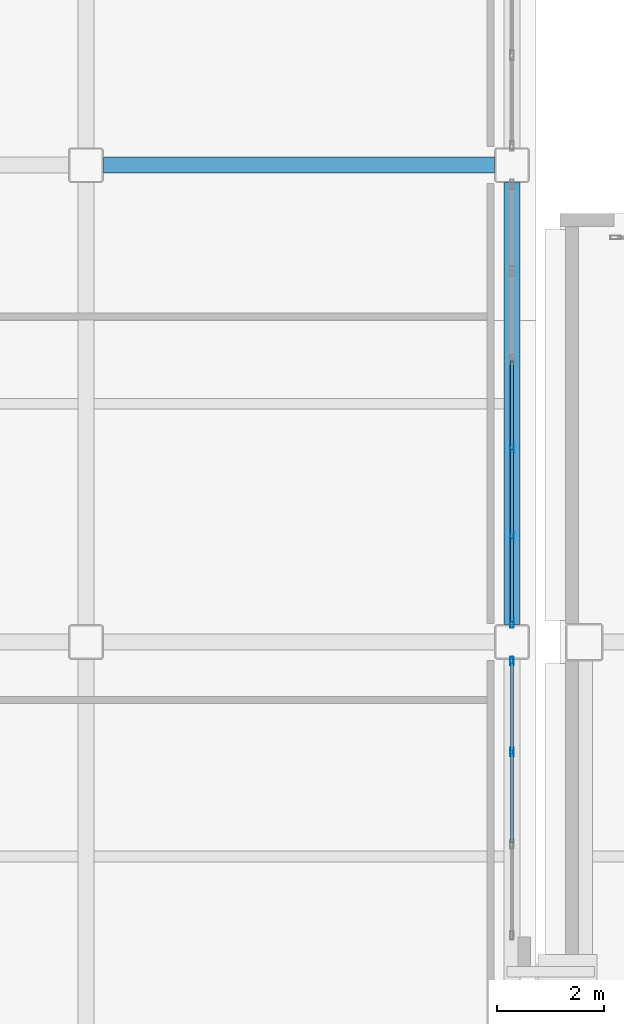
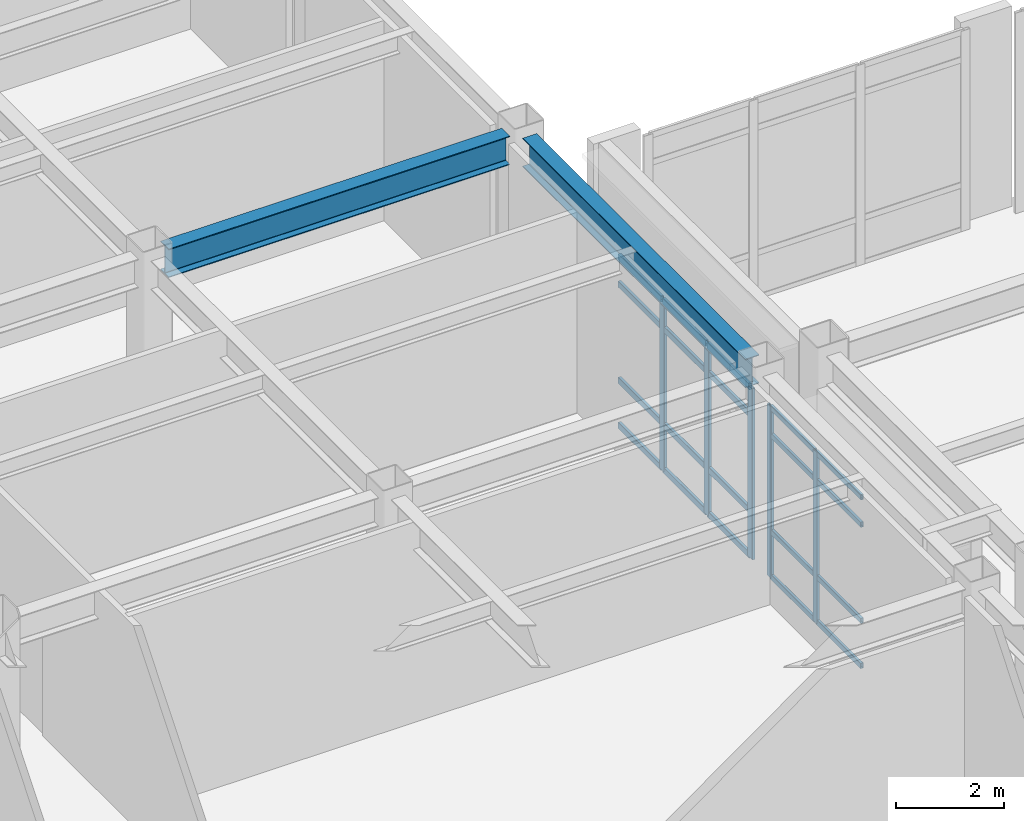
# One storey, part 56 of 172: 25 members, 2 beams, 2 elements without a shape of their own.
"""IFC4 building model written with IfcOpenShell, lengths in metres."""

from ifc_helpers import new_model, si_unit, direction, frame, origin, origin_2d, place, context, subcontext, project, spatial, hollow_rectangle, i_section, extrude, material, layer, layer_set, material_profile, profile_set, type_object, element, aggregate, save


model = new_model("IFC4")

# Units and contexts
model_context = context("Model", 3, precision=1e-05, world=origin(), true_north=direction((0.0, 1.0)))
body_context = subcontext(model_context, "Body", "Model", "MODEL_VIEW")
ifc_project = project(units=[si_unit("LENGTHUNIT", "METRE"), si_unit("AREAUNIT", "SQUARE_METRE"), si_unit("VOLUMEUNIT", "CUBIC_METRE"), si_unit("PLANEANGLEUNIT", "RADIAN"), si_unit("MASSUNIT", "GRAM", prefix="KILO")], contexts=[model_context])

# Site, building, storey
site_placement = place(None, origin())
site = spatial("IfcSite", under=ifc_project, at=site_placement, CompositionType="ELEMENT")
building_placement = place(site_placement, origin())
building = spatial("IfcBuilding", under=site, at=building_placement, Name="Kazehara Bluff Congress Hotel", CompositionType="ELEMENT")
storey_placement = place(building_placement, frame((0.0, 0.0, 5.39990234375)))
storey = spatial("IfcBuildingStorey", under=building, at=storey_placement, Name="L01", CompositionType="ELEMENT", Elevation=5.39990234375)

# Curtain wall, members
ifc_material_1 = material(Name="Anodised aluminium", Category="aluminium")
ifc_layer_1 = layer(ifc_material_1, 0.159912109375)
ifc_layer_set_1 = layer_set([ifc_layer_1], Name="Anodised aluminium")
curtain_wall_type_1 = type_object("IfcCurtainWallType", Name="TP-CW-53", PredefinedType="NOTDEFINED", material=ifc_layer_set_1)
curtain_wall_1_placement = place(storey_placement, origin())
curtain_wall_1 = element("IfcCurtainWall", 1, at=curtain_wall_1_placement, inside=storey, type_object=curtain_wall_type_1, Name="L01 curtain wall CW-53 CW-V4-L01-X10920-2650", PredefinedType="NOTDEFINED")
ifc_material_2 = material(Name="Anodised aluminium", Category="aluminium")
ifc_material_profile_1 = material_profile(ifc_material_2, hollow_rectangle(XDim=0.06005859375, YDim=0.159912109375, WallThickness=0.00390625, InnerFilletRadius=0.00390625, OuterFilletRadius=0.008056640625, at=origin_2d()))
ifc_profile_set_1 = profile_set([ifc_material_profile_1], Name="Anodised aluminium")
member_type_1 = type_object("IfcMemberType", Name="TP-CWM-01", PredefinedType="MULLION", material=ifc_profile_set_1)
member_1_placement = place(storey_placement, frame((109.199951171875, 29.949951171875, 0.0), z_axis=(0.0, 0.0, 1.0), x_axis=(-1.0, 0.0, 0.0)))
member_1 = element("IfcMember", 2, at=member_1_placement, type_object=member_type_1, Name="CW-53 mullion 3", PredefinedType="MULLION", context=body_context, shape_type="SweptSolid", body=[
    extrude(hollow_rectangle(XDim=0.06005859375, YDim=0.159912109375, WallThickness=0.00390625, InnerFilletRadius=0.00390625, OuterFilletRadius=0.008056640625, at=origin_2d()), origin(), (0.0, 0.0, 1.0), 3.875),
])
member_2_placement = place(storey_placement, frame((109.199951171875, 31.64501953125, 0.0), z_axis=(0.0, 0.0, 1.0), x_axis=(-1.0, 0.0, 0.0)))
member_2 = element("IfcMember", 3, at=member_2_placement, type_object=member_type_1, Name="CW-53 mullion 4", PredefinedType="MULLION", context=body_context, shape_type="SweptSolid", body=[
    extrude(hollow_rectangle(XDim=0.06005859375, YDim=0.159912109375, WallThickness=0.00390625, InnerFilletRadius=0.00390625, OuterFilletRadius=0.008056640625, at=origin_2d()), origin(), (0.0, 0.0, 1.0), 3.875),
])

ifc_material_3 = material(Name="Anodised aluminium", Category="aluminium")
ifc_layer_2 = layer(ifc_material_3, 0.159912109375)
ifc_layer_set_2 = layer_set([ifc_layer_2], Name="Anodised aluminium")
curtain_wall_type_2 = type_object("IfcCurtainWallType", Name="TP-CW-54", PredefinedType="NOTDEFINED", material=ifc_layer_set_2)
curtain_wall_2_placement = place(storey_placement, origin())
curtain_wall_2 = element("IfcCurtainWall", 4, at=curtain_wall_2_placement, inside=storey, type_object=curtain_wall_type_2, Name="L01 curtain wall CW-54 CW-V4-L01-X10920-3233", PredefinedType="NOTDEFINED")
ifc_material_4 = material(Name="Anodised aluminium", Category="aluminium")
ifc_material_profile_2 = material_profile(ifc_material_4, hollow_rectangle(XDim=0.06494140625, YDim=0.179931640625, WallThickness=0.00390625, InnerFilletRadius=0.00390625, OuterFilletRadius=0.008056640625, at=origin_2d()))
ifc_profile_set_2 = profile_set([ifc_material_profile_2], Name="Anodised aluminium")
member_type_2 = type_object("IfcMemberType", Name="TP-CWM-02", PredefinedType="MULLION", material=ifc_profile_set_2)
member_3_placement = place(storey_placement, frame((109.199951171875, 32.357421875, 0.0), z_axis=(0.0, 0.0, 1.0), x_axis=(-1.0, 0.0, 0.0)))
member_3 = element("IfcMember", 5, at=member_3_placement, type_object=member_type_2, Name="CW-54 mullion 1", PredefinedType="MULLION", context=body_context, shape_type="SweptSolid", body=[
    extrude(hollow_rectangle(XDim=0.06494140625, YDim=0.179931640625, WallThickness=0.00390625, InnerFilletRadius=0.00390625, OuterFilletRadius=0.008056640625, at=origin_2d()), origin(), (0.0, 0.0, 1.0), 3.875),
])
member_4_placement = place(storey_placement, frame((109.199951171875, 33.97509765625, 0.0), z_axis=(0.0, 0.0, 1.0), x_axis=(-1.0, 0.0, 0.0)))
member_4 = element("IfcMember", 6, at=member_4_placement, type_object=member_type_2, Name="CW-54 mullion 2", PredefinedType="MULLION", context=body_context, shape_type="SweptSolid", body=[
    extrude(hollow_rectangle(XDim=0.06494140625, YDim=0.179931640625, WallThickness=0.00390625, InnerFilletRadius=0.00390625, OuterFilletRadius=0.008056640625, at=origin_2d()), origin(), (0.0, 0.0, 1.0), 3.875),
])
member_5_placement = place(storey_placement, frame((109.199951171875, 35.625, 0.0), z_axis=(0.0, 0.0, 1.0), x_axis=(-1.0, 0.0, 0.0)))
member_5 = element("IfcMember", 7, at=member_5_placement, type_object=member_type_2, Name="CW-54 mullion 3", PredefinedType="MULLION", context=body_context, shape_type="SweptSolid", body=[
    extrude(hollow_rectangle(XDim=0.06494140625, YDim=0.179931640625, WallThickness=0.00390625, InnerFilletRadius=0.00390625, OuterFilletRadius=0.008056640625, at=origin_2d()), origin(), (0.0, 0.0, 1.0), 3.875),
])

# Member
ifc_material_5 = material(Name="Anodised aluminium", Category="aluminium")
ifc_material_profile_3 = material_profile(ifc_material_5, hollow_rectangle(XDim=0.06005859375, YDim=0.1201171875, WallThickness=0.00390625, InnerFilletRadius=0.00390625, OuterFilletRadius=0.008056640625, at=origin_2d()))
ifc_profile_set_3 = profile_set([ifc_material_profile_3], Name="Anodised aluminium")
member_type_3 = type_object("IfcMemberType", Name="TP-CWT-01", PredefinedType="USERDEFINED", material=ifc_profile_set_3)
member_6_placement = place(storey_placement, frame((109.199951171875, 28.2548828125, 0.030029296875), z_axis=(0.0, 1.0, 0.0), x_axis=(-1.0, 0.0, 0.0)))
member_6 = element("IfcMember", 8, at=member_6_placement, type_object=member_type_3, Name="CW-53 transom 2.1", ObjectType="TRANSOM", PredefinedType="USERDEFINED", context=body_context, shape_type="SweptSolid", body=[
    extrude(hollow_rectangle(XDim=0.06005859375, YDim=0.1201171875, WallThickness=0.00390625, InnerFilletRadius=0.00390625, OuterFilletRadius=0.008056640625, at=origin_2d()), origin(), (0.0, 0.0, 1.0), 1.6650390625),
])

member_7_placement = place(storey_placement, frame((109.199951171875, 28.2548828125, 1.050048828125), z_axis=(0.0, 1.0, 0.0), x_axis=(-1.0, 0.0, 0.0)))
member_7 = element("IfcMember", 9, at=member_7_placement, type_object=member_type_3, Name="CW-53 transom 2.2", ObjectType="TRANSOM", PredefinedType="USERDEFINED", context=body_context, shape_type="SweptSolid", body=[
    extrude(hollow_rectangle(XDim=0.06005859375, YDim=0.1201171875, WallThickness=0.00390625, InnerFilletRadius=0.00390625, OuterFilletRadius=0.008056640625, at=origin_2d()), origin(), (0.0, 0.0, 1.0), 1.6650390625),
])

member_8_placement = place(storey_placement, frame((109.199951171875, 28.2548828125, 3.22509765625), z_axis=(0.0, 1.0, 0.0), x_axis=(-1.0, 0.0, 0.0)))
member_8 = element("IfcMember", 10, at=member_8_placement, type_object=member_type_3, Name="CW-53 transom 2.3", ObjectType="TRANSOM", PredefinedType="USERDEFINED", context=body_context, shape_type="SweptSolid", body=[
    extrude(hollow_rectangle(XDim=0.06005859375, YDim=0.1201171875, WallThickness=0.00390625, InnerFilletRadius=0.00390625, OuterFilletRadius=0.008056640625, at=origin_2d()), origin(), (0.0, 0.0, 1.0), 1.6650390625),
])

member_9_placement = place(storey_placement, frame((109.199951171875, 28.2548828125, 3.84521484375), z_axis=(0.0, 1.0, 0.0), x_axis=(-1.0, 0.0, 0.0)))
member_9 = element("IfcMember", 11, at=member_9_placement, type_object=member_type_3, Name="CW-53 transom 2.4", ObjectType="TRANSOM", PredefinedType="USERDEFINED", context=body_context, shape_type="SweptSolid", body=[
    extrude(hollow_rectangle(XDim=0.06005859375, YDim=0.1201171875, WallThickness=0.00390625, InnerFilletRadius=0.00390625, OuterFilletRadius=0.008056640625, at=origin_2d()), origin(), (0.0, 0.0, 1.0), 1.6650390625),
])

member_10_placement = place(storey_placement, frame((109.199951171875, 29.97998046875, 0.030029296875), z_axis=(0.0, 1.0, 0.0), x_axis=(-1.0, 0.0, 0.0)))
member_10 = element("IfcMember", 12, at=member_10_placement, type_object=member_type_3, Name="CW-53 transom 3.1", ObjectType="TRANSOM", PredefinedType="USERDEFINED", context=body_context, shape_type="SweptSolid", body=[
    extrude(hollow_rectangle(XDim=0.06005859375, YDim=0.1201171875, WallThickness=0.00390625, InnerFilletRadius=0.00390625, OuterFilletRadius=0.008056640625, at=origin_2d()), origin(), (0.0, 0.0, 1.0), 1.635009765625),
])

member_11_placement = place(storey_placement, frame((109.199951171875, 29.97998046875, 1.050048828125), z_axis=(0.0, 1.0, 0.0), x_axis=(-1.0, 0.0, 0.0)))
member_11 = element("IfcMember", 13, at=member_11_placement, type_object=member_type_3, Name="CW-53 transom 3.2", ObjectType="TRANSOM", PredefinedType="USERDEFINED", context=body_context, shape_type="SweptSolid", body=[
    extrude(hollow_rectangle(XDim=0.06005859375, YDim=0.1201171875, WallThickness=0.00390625, InnerFilletRadius=0.00390625, OuterFilletRadius=0.008056640625, at=origin_2d()), origin(), (0.0, 0.0, 1.0), 1.635009765625),
])

member_12_placement = place(storey_placement, frame((109.199951171875, 29.97998046875, 3.22509765625), z_axis=(0.0, 1.0, 0.0), x_axis=(-1.0, 0.0, 0.0)))
member_12 = element("IfcMember", 14, at=member_12_placement, type_object=member_type_3, Name="CW-53 transom 3.3", ObjectType="TRANSOM", PredefinedType="USERDEFINED", context=body_context, shape_type="SweptSolid", body=[
    extrude(hollow_rectangle(XDim=0.06005859375, YDim=0.1201171875, WallThickness=0.00390625, InnerFilletRadius=0.00390625, OuterFilletRadius=0.008056640625, at=origin_2d()), origin(), (0.0, 0.0, 1.0), 1.635009765625),
])

member_13_placement = place(storey_placement, frame((109.199951171875, 29.97998046875, 3.84521484375), z_axis=(0.0, 1.0, 0.0), x_axis=(-1.0, 0.0, 0.0)))
member_13 = element("IfcMember", 15, at=member_13_placement, type_object=member_type_3, Name="CW-53 transom 3.4", ObjectType="TRANSOM", PredefinedType="USERDEFINED", context=body_context, shape_type="SweptSolid", body=[
    extrude(hollow_rectangle(XDim=0.06005859375, YDim=0.1201171875, WallThickness=0.00390625, InnerFilletRadius=0.00390625, OuterFilletRadius=0.008056640625, at=origin_2d()), origin(), (0.0, 0.0, 1.0), 1.635009765625),
])

aggregate(curtain_wall_1, [member_1, member_2, member_6, member_7, member_8, member_9, member_10, member_11, member_12, member_13])

ifc_material_6 = material(Name="Anodised aluminium", Category="aluminium")
ifc_material_profile_4 = material_profile(ifc_material_6, hollow_rectangle(XDim=0.06494140625, YDim=0.139892578125, WallThickness=0.00390625, InnerFilletRadius=0.00390625, OuterFilletRadius=0.008056640625, at=origin_2d()))
ifc_profile_set_4 = profile_set([ifc_material_profile_4], Name="Anodised aluminium")
member_type_4 = type_object("IfcMemberType", Name="TP-CWT-02", PredefinedType="USERDEFINED", material=ifc_profile_set_4)
member_14_placement = place(storey_placement, frame((109.199951171875, 32.389892578125, 0.03271484375), z_axis=(0.0, 1.0, 0.0), x_axis=(-1.0, 0.0, 0.0)))
member_14 = element("IfcMember", 16, at=member_14_placement, type_object=member_type_4, Name="CW-54 transom 1.1", ObjectType="TRANSOM", PredefinedType="USERDEFINED", context=body_context, shape_type="SweptSolid", body=[
    extrude(hollow_rectangle(XDim=0.06494140625, YDim=0.139892578125, WallThickness=0.00390625, InnerFilletRadius=0.00390625, OuterFilletRadius=0.008056640625, at=origin_2d()), origin(), (0.0, 0.0, 1.0), 1.552490234375),
])

member_15_placement = place(storey_placement, frame((109.199951171875, 32.389892578125, 1.050048828125), z_axis=(0.0, 1.0, 0.0), x_axis=(-1.0, 0.0, 0.0)))
member_15 = element("IfcMember", 17, at=member_15_placement, type_object=member_type_4, Name="CW-54 transom 1.2", ObjectType="TRANSOM", PredefinedType="USERDEFINED", context=body_context, shape_type="SweptSolid", body=[
    extrude(hollow_rectangle(XDim=0.06494140625, YDim=0.139892578125, WallThickness=0.00390625, InnerFilletRadius=0.00390625, OuterFilletRadius=0.008056640625, at=origin_2d()), origin(), (0.0, 0.0, 1.0), 1.552490234375),
])

member_16_placement = place(storey_placement, frame((109.199951171875, 32.389892578125, 3.22509765625), z_axis=(0.0, 1.0, 0.0), x_axis=(-1.0, 0.0, 0.0)))
member_16 = element("IfcMember", 18, at=member_16_placement, type_object=member_type_4, Name="CW-54 transom 1.3", ObjectType="TRANSOM", PredefinedType="USERDEFINED", context=body_context, shape_type="SweptSolid", body=[
    extrude(hollow_rectangle(XDim=0.06494140625, YDim=0.139892578125, WallThickness=0.00390625, InnerFilletRadius=0.00390625, OuterFilletRadius=0.008056640625, at=origin_2d()), origin(), (0.0, 0.0, 1.0), 1.552490234375),
])

member_17_placement = place(storey_placement, frame((109.199951171875, 32.389892578125, 3.842529296875), z_axis=(0.0, 1.0, 0.0), x_axis=(-1.0, 0.0, 0.0)))
member_17 = element("IfcMember", 19, at=member_17_placement, type_object=member_type_4, Name="CW-54 transom 1.4", ObjectType="TRANSOM", PredefinedType="USERDEFINED", context=body_context, shape_type="SweptSolid", body=[
    extrude(hollow_rectangle(XDim=0.06494140625, YDim=0.139892578125, WallThickness=0.00390625, InnerFilletRadius=0.00390625, OuterFilletRadius=0.008056640625, at=origin_2d()), origin(), (0.0, 0.0, 1.0), 1.552490234375),
])

member_18_placement = place(storey_placement, frame((109.199951171875, 34.007568359375, 0.03271484375), z_axis=(0.0, 1.0, 0.0), x_axis=(-1.0, 0.0, 0.0)))
member_18 = element("IfcMember", 20, at=member_18_placement, type_object=member_type_4, Name="CW-54 transom 2.1", ObjectType="TRANSOM", PredefinedType="USERDEFINED", context=body_context, shape_type="SweptSolid", body=[
    extrude(hollow_rectangle(XDim=0.06494140625, YDim=0.139892578125, WallThickness=0.00390625, InnerFilletRadius=0.00390625, OuterFilletRadius=0.008056640625, at=origin_2d()), origin(), (0.0, 0.0, 1.0), 1.5849609375),
])

member_19_placement = place(storey_placement, frame((109.199951171875, 34.007568359375, 1.050048828125), z_axis=(0.0, 1.0, 0.0), x_axis=(-1.0, 0.0, 0.0)))
member_19 = element("IfcMember", 21, at=member_19_placement, type_object=member_type_4, Name="CW-54 transom 2.2", ObjectType="TRANSOM", PredefinedType="USERDEFINED", context=body_context, shape_type="SweptSolid", body=[
    extrude(hollow_rectangle(XDim=0.06494140625, YDim=0.139892578125, WallThickness=0.00390625, InnerFilletRadius=0.00390625, OuterFilletRadius=0.008056640625, at=origin_2d()), origin(), (0.0, 0.0, 1.0), 1.5849609375),
])

member_20_placement = place(storey_placement, frame((109.199951171875, 34.007568359375, 3.22509765625), z_axis=(0.0, 1.0, 0.0), x_axis=(-1.0, 0.0, 0.0)))
member_20 = element("IfcMember", 22, at=member_20_placement, type_object=member_type_4, Name="CW-54 transom 2.3", ObjectType="TRANSOM", PredefinedType="USERDEFINED", context=body_context, shape_type="SweptSolid", body=[
    extrude(hollow_rectangle(XDim=0.06494140625, YDim=0.139892578125, WallThickness=0.00390625, InnerFilletRadius=0.00390625, OuterFilletRadius=0.008056640625, at=origin_2d()), origin(), (0.0, 0.0, 1.0), 1.5849609375),
])

member_21_placement = place(storey_placement, frame((109.199951171875, 34.007568359375, 3.842529296875), z_axis=(0.0, 1.0, 0.0), x_axis=(-1.0, 0.0, 0.0)))
member_21 = element("IfcMember", 23, at=member_21_placement, type_object=member_type_4, Name="CW-54 transom 2.4", ObjectType="TRANSOM", PredefinedType="USERDEFINED", context=body_context, shape_type="SweptSolid", body=[
    extrude(hollow_rectangle(XDim=0.06494140625, YDim=0.139892578125, WallThickness=0.00390625, InnerFilletRadius=0.00390625, OuterFilletRadius=0.008056640625, at=origin_2d()), origin(), (0.0, 0.0, 1.0), 1.5849609375),
])

member_22_placement = place(storey_placement, frame((109.199951171875, 35.657470703125, 0.03271484375), z_axis=(0.0, 1.0, 0.0), x_axis=(-1.0, 0.0, 0.0)))
member_22 = element("IfcMember", 24, at=member_22_placement, type_object=member_type_4, Name="CW-54 transom 3.1", ObjectType="TRANSOM", PredefinedType="USERDEFINED", context=body_context, shape_type="SweptSolid", body=[
    extrude(hollow_rectangle(XDim=0.06494140625, YDim=0.139892578125, WallThickness=0.00390625, InnerFilletRadius=0.00390625, OuterFilletRadius=0.008056640625, at=origin_2d()), origin(), (0.0, 0.0, 1.0), 1.5849609375),
])

member_23_placement = place(storey_placement, frame((109.199951171875, 35.657470703125, 1.050048828125), z_axis=(0.0, 1.0, 0.0), x_axis=(-1.0, 0.0, 0.0)))
member_23 = element("IfcMember", 25, at=member_23_placement, type_object=member_type_4, Name="CW-54 transom 3.2", ObjectType="TRANSOM", PredefinedType="USERDEFINED", context=body_context, shape_type="SweptSolid", body=[
    extrude(hollow_rectangle(XDim=0.06494140625, YDim=0.139892578125, WallThickness=0.00390625, InnerFilletRadius=0.00390625, OuterFilletRadius=0.008056640625, at=origin_2d()), origin(), (0.0, 0.0, 1.0), 1.5849609375),
])

member_24_placement = place(storey_placement, frame((109.199951171875, 35.657470703125, 3.22509765625), z_axis=(0.0, 1.0, 0.0), x_axis=(-1.0, 0.0, 0.0)))
member_24 = element("IfcMember", 26, at=member_24_placement, type_object=member_type_4, Name="CW-54 transom 3.3", ObjectType="TRANSOM", PredefinedType="USERDEFINED", context=body_context, shape_type="SweptSolid", body=[
    extrude(hollow_rectangle(XDim=0.06494140625, YDim=0.139892578125, WallThickness=0.00390625, InnerFilletRadius=0.00390625, OuterFilletRadius=0.008056640625, at=origin_2d()), origin(), (0.0, 0.0, 1.0), 1.5849609375),
])

member_25_placement = place(storey_placement, frame((109.199951171875, 35.657470703125, 3.842529296875), z_axis=(0.0, 1.0, 0.0), x_axis=(-1.0, 0.0, 0.0)))
member_25 = element("IfcMember", 27, at=member_25_placement, type_object=member_type_4, Name="CW-54 transom 3.4", ObjectType="TRANSOM", PredefinedType="USERDEFINED", context=body_context, shape_type="SweptSolid", body=[
    extrude(hollow_rectangle(XDim=0.06494140625, YDim=0.139892578125, WallThickness=0.00390625, InnerFilletRadius=0.00390625, OuterFilletRadius=0.008056640625, at=origin_2d()), origin(), (0.0, 0.0, 1.0), 1.5849609375),
])

aggregate(curtain_wall_2, [member_3, member_4, member_5, member_14, member_15, member_16, member_17, member_18, member_19, member_20, member_21, member_22, member_23, member_24, member_25])

# Beams
ifc_material_7 = material(Name="Steel SN490B", Category="steel")
ifc_material_profile_5 = material_profile(ifc_material_7, i_section(OverallWidth=0.300048828125, OverallDepth=0.64990234375, WebThickness=0.011962890625, FlangeThickness=0.02001953125, FilletRadius=0.012939453125, at=origin_2d()))
ifc_profile_set_5 = profile_set([ifc_material_profile_5], Name="Steel SN490B")
beam_type = type_object("IfcBeamType", Name="TP-G-03", PredefinedType="BEAM", material=ifc_profile_set_5)
beam_1_placement = place(storey_placement, frame((109.199951171875, 32.324951171875, 4.22509765625), z_axis=(0.0, 1.0, 0.0), x_axis=(-1.0, 0.0, 0.0)))
element("IfcBeam", 28, at=beam_1_placement, inside=storey, type_object=beam_type, Name="L01 girder G-03 182", PredefinedType="BEAM", context=body_context, shape_type="SweptSolid", body=[
    extrude(i_section(OverallWidth=0.300048828125, OverallDepth=0.64990234375, WebThickness=0.011962890625, FlangeThickness=0.02001953125, FilletRadius=0.012939453125, at=origin_2d()), origin(), (0.0, 0.0, 1.0), 8.25),
])
beam_2_placement = place(storey_placement, frame((101.574951171875, 40.89990234375, 4.22509765625), z_axis=(1.0, 0.0, 0.0), x_axis=(0.0, 1.0, 0.0)))
element("IfcBeam", 29, at=beam_2_placement, inside=storey, type_object=beam_type, Name="L01 girder G-03 208", PredefinedType="BEAM", context=body_context, shape_type="SweptSolid", body=[
    extrude(i_section(OverallWidth=0.300048828125, OverallDepth=0.64990234375, WebThickness=0.011962890625, FlangeThickness=0.02001953125, FilletRadius=0.012939453125, at=origin_2d()), origin(), (0.0, 0.0, 1.0), 7.300048828125),
])

save(model, "model.ifc")
